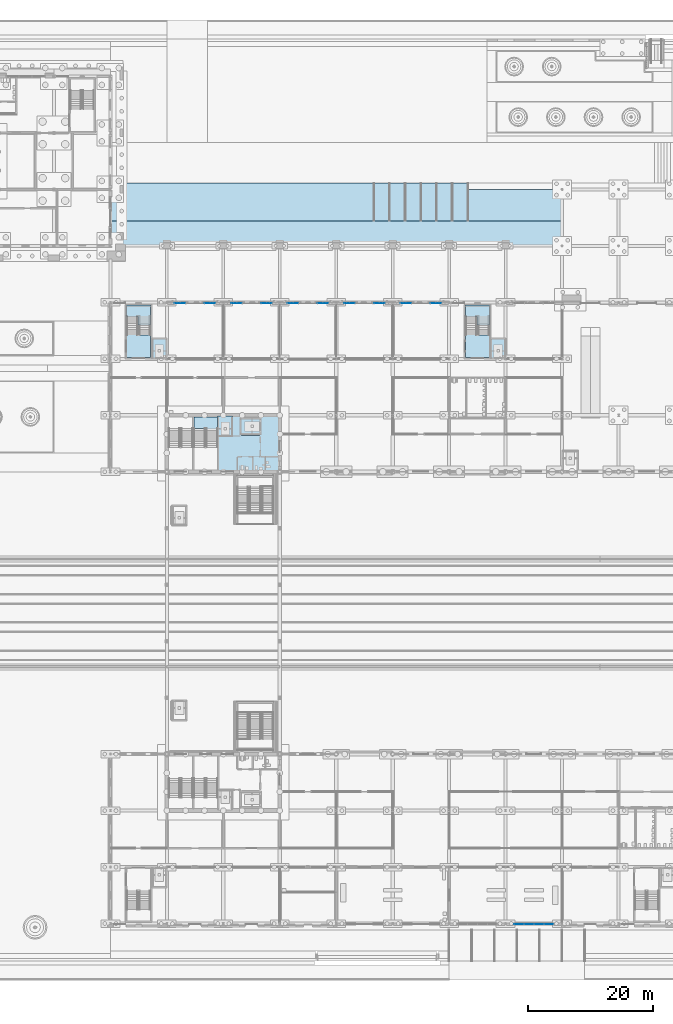
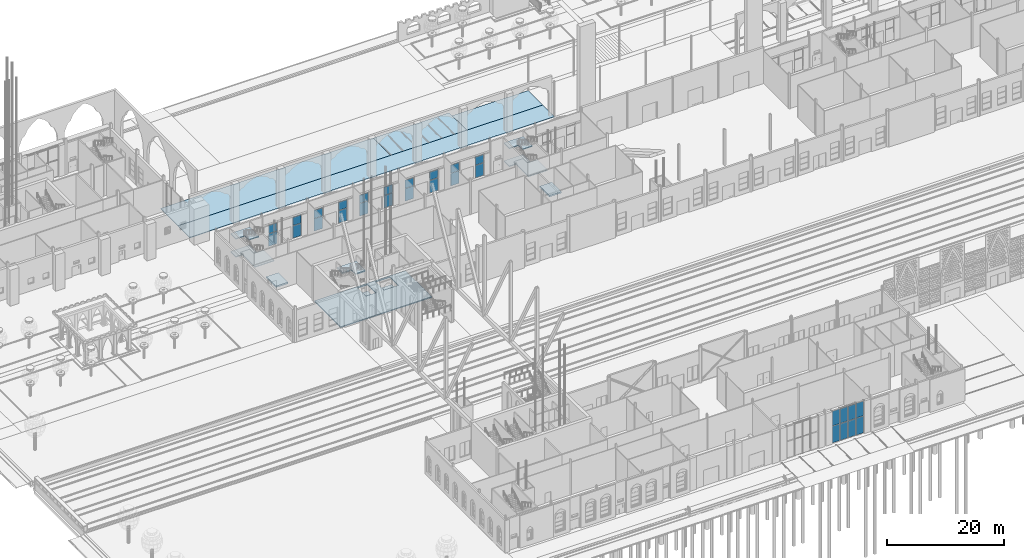
# One storey, part 77 of 250: 28 plates, 16 slabs, 14 elements without a shape of their own.
"""IFC4 building model written with IfcOpenShell, lengths in metres."""

from ifc_helpers import new_model, si_unit, direction, frame, origin, origin_2d, place, context, subcontext, project, spatial, polyline, rectangle, outline, extrude, material, layer, layer_set, type_object, element, aggregate, save


model = new_model("IFC4")

# Units and contexts
model_context = context("Model", 3, precision=1e-05, world=origin(), true_north=direction((0.0, 1.0)))
body_context = subcontext(model_context, "Body", "Model", "MODEL_VIEW")
ifc_project = project(units=[si_unit("LENGTHUNIT", "METRE"), si_unit("AREAUNIT", "SQUARE_METRE"), si_unit("VOLUMEUNIT", "CUBIC_METRE"), si_unit("PLANEANGLEUNIT", "RADIAN"), si_unit("MASSUNIT", "GRAM", prefix="KILO")], contexts=[model_context])

# Site, building, storey
site_placement = place(None, origin())
site = spatial("IfcSite", under=ifc_project, at=site_placement, CompositionType="ELEMENT")
building_placement = place(site_placement, origin())
building = spatial("IfcBuilding", under=site, at=building_placement, Name="Baradari Gate Terminus", CompositionType="ELEMENT")
storey_placement = place(building_placement, origin())
storey = spatial("IfcBuildingStorey", under=building, at=storey_placement, Name="L00", CompositionType="ELEMENT", Elevation=0.0)

# Slabs
ifc_material_1 = material(Name="Concrete C32/40", Category="concrete")
ifc_layer_1 = layer(ifc_material_1, 0.12)
ifc_material_2 = material(Name="Asphalt")
ifc_layer_2 = layer(ifc_material_2, 0.08)
ifc_layer_set_1 = layer_set([ifc_layer_1, ifc_layer_2], Name="Concrete C32/40")
slab_type_1 = type_object("IfcSlabType", Name="Asphalt carriageway slab SL14 200", PredefinedType="BASESLAB", material=ifc_layer_set_1)
slab_1_placement = place(storey_placement, frame((0.0, 0.0, -0.199951171875)))
element("IfcSlab", 1, at=slab_1_placement, inside=storey, type_object=slab_type_1, Name="Set-down bays", PredefinedType="BASESLAB", context=body_context, shape_type="SweptSolid", body=[
    extrude(outline(polyline([(120.0, 121.0), (120.0, 127.0), (105.0, 127.0), (105.0, 121.0), (120.0, 121.0)])), origin(), (0.0, 0.0, 1.0), 0.199951171875),
])
ifc_layer_3 = layer(ifc_material_1, 0.11)
ifc_material_3 = material(Name="Concrete paving flags", Category="concrete")
ifc_layer_4 = layer(ifc_material_3, 0.04)
ifc_layer_set_2 = layer_set([ifc_layer_3, ifc_layer_4], Name="Concrete C32/40")
slab_type_2 = type_object("IfcSlabType", Name="Concrete paving slab SL12 150", PredefinedType="BASESLAB", material=ifc_layer_set_2)
slab_2_placement = place(storey_placement, frame((0.0, 0.0, -0.14990234375)))
element("IfcSlab", 2, at=slab_2_placement, inside=storey, type_object=slab_type_2, Name="Forecourt plaza 6", PredefinedType="BASESLAB", context=body_context, shape_type="SweptSolid", body=[
    extrude(outline(polyline([(135.0, 117.0), (135.0, 121.0), (63.0, 121.0), (63.0, 117.0), (135.0, 117.0)])), origin(), (0.0, 0.0, 1.0), 0.14990234375),
])
slab_3_placement = place(storey_placement, frame((0.0, 0.0, -0.14990234375)))
element("IfcSlab", 3, at=slab_3_placement, inside=storey, type_object=slab_type_2, Name="Forecourt plaza 11", PredefinedType="BASESLAB", context=body_context, shape_type="SweptSolid", body=[
    extrude(outline(polyline([(135.0, 121.0), (135.0, 126.0), (120.0, 126.0), (120.0, 121.0), (135.0, 121.0)])), origin(), (0.0, 0.0, 1.0), 0.14990234375),
])
slab_4_placement = place(storey_placement, frame((0.0, 0.0, -0.14990234375)))
element("IfcSlab", 4, at=slab_4_placement, inside=storey, type_object=slab_type_2, Name="Forecourt plaza 13", PredefinedType="BASESLAB", context=body_context, shape_type="SweptSolid", body=[
    extrude(outline(polyline([(105.0, 121.0), (105.0, 127.0), (63.0, 127.0), (63.0, 121.0), (105.0, 121.0)])), origin(), (0.0, 0.0, 1.0), 0.14990234375),
])

# Curtain wall, plates
ifc_material_4 = material(Name="Aluminium 6063-T6", Category="aluminium")
curtain_wall_type_1 = type_object("IfcCurtainWallType", Name="Curtain wall CW-2 shopfront", PredefinedType="NOTDEFINED", material=ifc_material_4)
curtain_wall_1_placement = place(storey_placement, origin())
curtain_wall_1 = element("IfcCurtainWall", 5, at=curtain_wall_1_placement, inside=storey, type_object=curtain_wall_type_1, Name="Shopfront curtain wall CW-2 HN bay 8 L00", PredefinedType="NOTDEFINED")
ifc_material_5 = material(Name="Insulating glass unit", Category="glass")
ifc_layer_5 = layer(ifc_material_5, 0.02001953125)
ifc_layer_set_3 = layer_set([ifc_layer_5], Name="Insulating glass unit")
plate_type_1 = type_object("IfcPlateType", Name="Curtain wall glazing unit CP-2 20", PredefinedType="CURTAIN_PANEL", material=ifc_layer_set_3)
plate_1_placement = place(storey_placement, frame((74.10009765625, 107.87841796875, 0.06494140625), z_axis=(0.0, 0.0, 1.0), x_axis=(1.0, 0.0, 0.0)))
plate_1 = element("IfcPlate", 6, at=plate_1_placement, type_object=plate_type_1, Name="CW-2 panel 1.1", PredefinedType="CURTAIN_PANEL", context=body_context, shape_type="SweptSolid", body=[
    extrude(rectangle(XDim=1.669921875, YDim=0.02001953125, at=origin_2d()), origin(), (0.0, 0.0, 1.0), 2.6025390625),
])
plate_2_placement = place(storey_placement, frame((74.10009765625, 107.87841796875, 2.732421875), z_axis=(0.0, 0.0, 1.0), x_axis=(1.0, 0.0, 0.0)))
plate_2 = element("IfcPlate", 7, at=plate_2_placement, type_object=plate_type_1, Name="CW-2 panel 1.2", PredefinedType="CURTAIN_PANEL", context=body_context, shape_type="SweptSolid", body=[
    extrude(rectangle(XDim=1.669921875, YDim=0.02001953125, at=origin_2d()), origin(), (0.0, 0.0, 1.0), 1.702392578125),
])
aggregate(curtain_wall_1, [plate_1, plate_2])

curtain_wall_2_placement = place(storey_placement, origin())
curtain_wall_2 = element("IfcCurtainWall", 8, at=curtain_wall_2_placement, inside=storey, type_object=curtain_wall_type_1, Name="Shopfront curtain wall CW-2 HN bay 8 L00", PredefinedType="NOTDEFINED")
plate_3_placement = place(storey_placement, frame((78.89990234375, 107.87841796875, 0.06494140625), z_axis=(0.0, 0.0, 1.0), x_axis=(1.0, 0.0, 0.0)))
plate_3 = element("IfcPlate", 9, at=plate_3_placement, type_object=plate_type_1, Name="CW-2 panel 1.1", PredefinedType="CURTAIN_PANEL", context=body_context, shape_type="SweptSolid", body=[
    extrude(rectangle(XDim=1.669921875, YDim=0.02001953125, at=origin_2d()), origin(), (0.0, 0.0, 1.0), 2.6025390625),
])
plate_4_placement = place(storey_placement, frame((78.89990234375, 107.87841796875, 2.732421875), z_axis=(0.0, 0.0, 1.0), x_axis=(1.0, 0.0, 0.0)))
plate_4 = element("IfcPlate", 10, at=plate_4_placement, type_object=plate_type_1, Name="CW-2 panel 1.2", PredefinedType="CURTAIN_PANEL", context=body_context, shape_type="SweptSolid", body=[
    extrude(rectangle(XDim=1.669921875, YDim=0.02001953125, at=origin_2d()), origin(), (0.0, 0.0, 1.0), 1.702392578125),
])
aggregate(curtain_wall_2, [plate_3, plate_4])

curtain_wall_3_placement = place(storey_placement, origin())
curtain_wall_3 = element("IfcCurtainWall", 11, at=curtain_wall_3_placement, inside=storey, type_object=curtain_wall_type_1, Name="Shopfront curtain wall CW-2 HN bay 9 L00", PredefinedType="NOTDEFINED")
plate_5_placement = place(storey_placement, frame((83.10009765625, 107.87841796875, 0.06494140625), z_axis=(0.0, 0.0, 1.0), x_axis=(1.0, 0.0, 0.0)))
plate_5 = element("IfcPlate", 12, at=plate_5_placement, type_object=plate_type_1, Name="CW-2 panel 1.1", PredefinedType="CURTAIN_PANEL", context=body_context, shape_type="SweptSolid", body=[
    extrude(rectangle(XDim=1.669921875, YDim=0.02001953125, at=origin_2d()), origin(), (0.0, 0.0, 1.0), 2.6025390625),
])
plate_6_placement = place(storey_placement, frame((83.10009765625, 107.87841796875, 2.732421875), z_axis=(0.0, 0.0, 1.0), x_axis=(1.0, 0.0, 0.0)))
plate_6 = element("IfcPlate", 13, at=plate_6_placement, type_object=plate_type_1, Name="CW-2 panel 1.2", PredefinedType="CURTAIN_PANEL", context=body_context, shape_type="SweptSolid", body=[
    extrude(rectangle(XDim=1.669921875, YDim=0.02001953125, at=origin_2d()), origin(), (0.0, 0.0, 1.0), 1.702392578125),
])
aggregate(curtain_wall_3, [plate_5, plate_6])

curtain_wall_4_placement = place(storey_placement, origin())
curtain_wall_4 = element("IfcCurtainWall", 14, at=curtain_wall_4_placement, inside=storey, type_object=curtain_wall_type_1, Name="Shopfront curtain wall CW-2 HN bay 9 L00", PredefinedType="NOTDEFINED")
plate_7_placement = place(storey_placement, frame((87.89990234375, 107.87841796875, 0.06494140625), z_axis=(0.0, 0.0, 1.0), x_axis=(1.0, 0.0, 0.0)))
plate_7 = element("IfcPlate", 15, at=plate_7_placement, type_object=plate_type_1, Name="CW-2 panel 1.1", PredefinedType="CURTAIN_PANEL", context=body_context, shape_type="SweptSolid", body=[
    extrude(rectangle(XDim=1.669921875, YDim=0.02001953125, at=origin_2d()), origin(), (0.0, 0.0, 1.0), 2.6025390625),
])
plate_8_placement = place(storey_placement, frame((87.89990234375, 107.87841796875, 2.732421875), z_axis=(0.0, 0.0, 1.0), x_axis=(1.0, 0.0, 0.0)))
plate_8 = element("IfcPlate", 16, at=plate_8_placement, type_object=plate_type_1, Name="CW-2 panel 1.2", PredefinedType="CURTAIN_PANEL", context=body_context, shape_type="SweptSolid", body=[
    extrude(rectangle(XDim=1.669921875, YDim=0.02001953125, at=origin_2d()), origin(), (0.0, 0.0, 1.0), 1.702392578125),
])
aggregate(curtain_wall_4, [plate_7, plate_8])

curtain_wall_5_placement = place(storey_placement, origin())
curtain_wall_5 = element("IfcCurtainWall", 17, at=curtain_wall_5_placement, inside=storey, type_object=curtain_wall_type_1, Name="Shopfront curtain wall CW-2 HN bay 10 L00", PredefinedType="NOTDEFINED")
plate_9_placement = place(storey_placement, frame((92.10009765625, 107.87841796875, 0.06494140625), z_axis=(0.0, 0.0, 1.0), x_axis=(1.0, 0.0, 0.0)))
plate_9 = element("IfcPlate", 18, at=plate_9_placement, type_object=plate_type_1, Name="CW-2 panel 1.1", PredefinedType="CURTAIN_PANEL", context=body_context, shape_type="SweptSolid", body=[
    extrude(rectangle(XDim=1.669921875, YDim=0.02001953125, at=origin_2d()), origin(), (0.0, 0.0, 1.0), 2.6025390625),
])
plate_10_placement = place(storey_placement, frame((92.10009765625, 107.87841796875, 2.732421875), z_axis=(0.0, 0.0, 1.0), x_axis=(1.0, 0.0, 0.0)))
plate_10 = element("IfcPlate", 19, at=plate_10_placement, type_object=plate_type_1, Name="CW-2 panel 1.2", PredefinedType="CURTAIN_PANEL", context=body_context, shape_type="SweptSolid", body=[
    extrude(rectangle(XDim=1.669921875, YDim=0.02001953125, at=origin_2d()), origin(), (0.0, 0.0, 1.0), 1.702392578125),
])
aggregate(curtain_wall_5, [plate_9, plate_10])

curtain_wall_6_placement = place(storey_placement, origin())
curtain_wall_6 = element("IfcCurtainWall", 20, at=curtain_wall_6_placement, inside=storey, type_object=curtain_wall_type_1, Name="Shopfront curtain wall CW-2 HN bay 10 L00", PredefinedType="NOTDEFINED")
plate_11_placement = place(storey_placement, frame((96.89990234375, 107.87841796875, 0.06494140625), z_axis=(0.0, 0.0, 1.0), x_axis=(1.0, 0.0, 0.0)))
plate_11 = element("IfcPlate", 21, at=plate_11_placement, type_object=plate_type_1, Name="CW-2 panel 1.1", PredefinedType="CURTAIN_PANEL", context=body_context, shape_type="SweptSolid", body=[
    extrude(rectangle(XDim=1.669921875, YDim=0.02001953125, at=origin_2d()), origin(), (0.0, 0.0, 1.0), 2.6025390625),
])
plate_12_placement = place(storey_placement, frame((96.89990234375, 107.87841796875, 2.732421875), z_axis=(0.0, 0.0, 1.0), x_axis=(1.0, 0.0, 0.0)))
plate_12 = element("IfcPlate", 22, at=plate_12_placement, type_object=plate_type_1, Name="CW-2 panel 1.2", PredefinedType="CURTAIN_PANEL", context=body_context, shape_type="SweptSolid", body=[
    extrude(rectangle(XDim=1.669921875, YDim=0.02001953125, at=origin_2d()), origin(), (0.0, 0.0, 1.0), 1.702392578125),
])
aggregate(curtain_wall_6, [plate_11, plate_12])

curtain_wall_7_placement = place(storey_placement, origin())
curtain_wall_7 = element("IfcCurtainWall", 23, at=curtain_wall_7_placement, inside=storey, type_object=curtain_wall_type_1, Name="Shopfront curtain wall CW-2 HN bay 11 L00", PredefinedType="NOTDEFINED")
plate_13_placement = place(storey_placement, frame((101.10009765625, 107.87841796875, 0.06494140625), z_axis=(0.0, 0.0, 1.0), x_axis=(1.0, 0.0, 0.0)))
plate_13 = element("IfcPlate", 24, at=plate_13_placement, type_object=plate_type_1, Name="CW-2 panel 1.1", PredefinedType="CURTAIN_PANEL", context=body_context, shape_type="SweptSolid", body=[
    extrude(rectangle(XDim=1.669921875, YDim=0.02001953125, at=origin_2d()), origin(), (0.0, 0.0, 1.0), 2.6025390625),
])
plate_14_placement = place(storey_placement, frame((101.10009765625, 107.87841796875, 2.732421875), z_axis=(0.0, 0.0, 1.0), x_axis=(1.0, 0.0, 0.0)))
plate_14 = element("IfcPlate", 25, at=plate_14_placement, type_object=plate_type_1, Name="CW-2 panel 1.2", PredefinedType="CURTAIN_PANEL", context=body_context, shape_type="SweptSolid", body=[
    extrude(rectangle(XDim=1.669921875, YDim=0.02001953125, at=origin_2d()), origin(), (0.0, 0.0, 1.0), 1.702392578125),
])
aggregate(curtain_wall_7, [plate_13, plate_14])

curtain_wall_8_placement = place(storey_placement, origin())
curtain_wall_8 = element("IfcCurtainWall", 26, at=curtain_wall_8_placement, inside=storey, type_object=curtain_wall_type_1, Name="Shopfront curtain wall CW-2 HN bay 11 L00", PredefinedType="NOTDEFINED")
plate_15_placement = place(storey_placement, frame((105.89990234375, 107.87841796875, 0.06494140625), z_axis=(0.0, 0.0, 1.0), x_axis=(1.0, 0.0, 0.0)))
plate_15 = element("IfcPlate", 27, at=plate_15_placement, type_object=plate_type_1, Name="CW-2 panel 1.1", PredefinedType="CURTAIN_PANEL", context=body_context, shape_type="SweptSolid", body=[
    extrude(rectangle(XDim=1.669921875, YDim=0.02001953125, at=origin_2d()), origin(), (0.0, 0.0, 1.0), 2.6025390625),
])
plate_16_placement = place(storey_placement, frame((105.89990234375, 107.87841796875, 2.732421875), z_axis=(0.0, 0.0, 1.0), x_axis=(1.0, 0.0, 0.0)))
plate_16 = element("IfcPlate", 28, at=plate_16_placement, type_object=plate_type_1, Name="CW-2 panel 1.2", PredefinedType="CURTAIN_PANEL", context=body_context, shape_type="SweptSolid", body=[
    extrude(rectangle(XDim=1.669921875, YDim=0.02001953125, at=origin_2d()), origin(), (0.0, 0.0, 1.0), 1.702392578125),
])
aggregate(curtain_wall_8, [plate_15, plate_16])

curtain_wall_9_placement = place(storey_placement, origin())
curtain_wall_9 = element("IfcCurtainWall", 29, at=curtain_wall_9_placement, inside=storey, type_object=curtain_wall_type_1, Name="Shopfront curtain wall CW-2 HN bay 12 L00", PredefinedType="NOTDEFINED")
plate_17_placement = place(storey_placement, frame((110.10009765625, 107.87841796875, 0.06494140625), z_axis=(0.0, 0.0, 1.0), x_axis=(1.0, 0.0, 0.0)))
plate_17 = element("IfcPlate", 30, at=plate_17_placement, type_object=plate_type_1, Name="CW-2 panel 1.1", PredefinedType="CURTAIN_PANEL", context=body_context, shape_type="SweptSolid", body=[
    extrude(rectangle(XDim=1.669921875, YDim=0.02001953125, at=origin_2d()), origin(), (0.0, 0.0, 1.0), 2.6025390625),
])
plate_18_placement = place(storey_placement, frame((110.10009765625, 107.87841796875, 2.732421875), z_axis=(0.0, 0.0, 1.0), x_axis=(1.0, 0.0, 0.0)))
plate_18 = element("IfcPlate", 31, at=plate_18_placement, type_object=plate_type_1, Name="CW-2 panel 1.2", PredefinedType="CURTAIN_PANEL", context=body_context, shape_type="SweptSolid", body=[
    extrude(rectangle(XDim=1.669921875, YDim=0.02001953125, at=origin_2d()), origin(), (0.0, 0.0, 1.0), 1.702392578125),
])
aggregate(curtain_wall_9, [plate_17, plate_18])

curtain_wall_10_placement = place(storey_placement, origin())
curtain_wall_10 = element("IfcCurtainWall", 32, at=curtain_wall_10_placement, inside=storey, type_object=curtain_wall_type_1, Name="Shopfront curtain wall CW-2 HN bay 12 L00", PredefinedType="NOTDEFINED")
plate_19_placement = place(storey_placement, frame((114.89990234375, 107.87841796875, 0.06494140625), z_axis=(0.0, 0.0, 1.0), x_axis=(1.0, 0.0, 0.0)))
plate_19 = element("IfcPlate", 33, at=plate_19_placement, type_object=plate_type_1, Name="CW-2 panel 1.1", PredefinedType="CURTAIN_PANEL", context=body_context, shape_type="SweptSolid", body=[
    extrude(rectangle(XDim=1.669921875, YDim=0.02001953125, at=origin_2d()), origin(), (0.0, 0.0, 1.0), 2.6025390625),
])
plate_20_placement = place(storey_placement, frame((114.89990234375, 107.87841796875, 2.732421875), z_axis=(0.0, 0.0, 1.0), x_axis=(1.0, 0.0, 0.0)))
plate_20 = element("IfcPlate", 34, at=plate_20_placement, type_object=plate_type_1, Name="CW-2 panel 1.2", PredefinedType="CURTAIN_PANEL", context=body_context, shape_type="SweptSolid", body=[
    extrude(rectangle(XDim=1.669921875, YDim=0.02001953125, at=origin_2d()), origin(), (0.0, 0.0, 1.0), 1.702392578125),
])
aggregate(curtain_wall_10, [plate_19, plate_20])

ifc_material_6 = material(Name="Aluminium 6063-T6", Category="aluminium")
curtain_wall_type_2 = type_object("IfcCurtainWallType", Name="Curtain wall CW-24 lobby and lounge glazing, other height", PredefinedType="NOTDEFINED", material=ifc_material_6)
curtain_wall_11_placement = place(storey_placement, origin())
curtain_wall_11 = element("IfcCurtainWall", 35, at=curtain_wall_11_placement, inside=storey, type_object=curtain_wall_type_2, Name="Glazed curtain wall CW-24 SS bay 15 L00", PredefinedType="NOTDEFINED")
ifc_material_7 = material(Name="Insulating glass unit", Category="glass")
ifc_layer_6 = layer(ifc_material_7, 0.030029296875)
ifc_layer_set_4 = layer_set([ifc_layer_6], Name="Insulating glass unit")
plate_type_2 = type_object("IfcPlateType", Name="Curtain wall glazing unit CP-24 30", PredefinedType="CURTAIN_PANEL", material=ifc_layer_set_4)
plate_21_placement = place(storey_placement, frame((128.140380859375, 8.880126953125, 0.080078125), z_axis=(0.0, 0.0, 1.0), x_axis=(1.0, 0.0, 0.0)))
plate_21 = element("IfcPlate", 36, at=plate_21_placement, type_object=plate_type_2, Name="CW-24 panel 1.1", PredefinedType="CURTAIN_PANEL", context=body_context, shape_type="SweptSolid", body=[
    extrude(rectangle(XDim=1.46630859375, YDim=0.030029296875, at=origin_2d()), origin(), (0.0, 0.0, 1.0), 3.47998046875),
])
plate_22_placement = place(storey_placement, frame((128.140380859375, 8.880126953125, 3.64013671875), z_axis=(0.0, 0.0, 1.0), x_axis=(1.0, 0.0, 0.0)))
plate_22 = element("IfcPlate", 37, at=plate_22_placement, type_object=plate_type_2, Name="CW-24 panel 1.2", PredefinedType="CURTAIN_PANEL", context=body_context, shape_type="SweptSolid", body=[
    extrude(rectangle(XDim=1.46630859375, YDim=0.030029296875, at=origin_2d()), origin(), (0.0, 0.0, 1.0), 3.04736328125),
])
plate_23_placement = place(storey_placement, frame((129.706787109375, 8.880126953125, 0.080078125), z_axis=(0.0, 0.0, 1.0), x_axis=(1.0, 0.0, 0.0)))
plate_23 = element("IfcPlate", 38, at=plate_23_placement, type_object=plate_type_2, Name="CW-24 panel 2.1", PredefinedType="CURTAIN_PANEL", context=body_context, shape_type="SweptSolid", body=[
    extrude(rectangle(XDim=1.50634765625, YDim=0.030029296875, at=origin_2d()), origin(), (0.0, 0.0, 1.0), 3.47998046875),
])
plate_24_placement = place(storey_placement, frame((129.706787109375, 8.880126953125, 3.64013671875), z_axis=(0.0, 0.0, 1.0), x_axis=(1.0, 0.0, 0.0)))
plate_24 = element("IfcPlate", 39, at=plate_24_placement, type_object=plate_type_2, Name="CW-24 panel 2.2", PredefinedType="CURTAIN_PANEL", context=body_context, shape_type="SweptSolid", body=[
    extrude(rectangle(XDim=1.50634765625, YDim=0.030029296875, at=origin_2d()), origin(), (0.0, 0.0, 1.0), 3.04736328125),
])
plate_25_placement = place(storey_placement, frame((131.293212890625, 8.880126953125, 0.080078125), z_axis=(0.0, 0.0, 1.0), x_axis=(1.0, 0.0, 0.0)))
plate_25 = element("IfcPlate", 40, at=plate_25_placement, type_object=plate_type_2, Name="CW-24 panel 3.1", PredefinedType="CURTAIN_PANEL", context=body_context, shape_type="SweptSolid", body=[
    extrude(rectangle(XDim=1.50634765625, YDim=0.030029296875, at=origin_2d()), origin(), (0.0, 0.0, 1.0), 3.47998046875),
])
plate_26_placement = place(storey_placement, frame((131.293212890625, 8.880126953125, 3.64013671875), z_axis=(0.0, 0.0, 1.0), x_axis=(1.0, 0.0, 0.0)))
plate_26 = element("IfcPlate", 41, at=plate_26_placement, type_object=plate_type_2, Name="CW-24 panel 3.2", PredefinedType="CURTAIN_PANEL", context=body_context, shape_type="SweptSolid", body=[
    extrude(rectangle(XDim=1.50634765625, YDim=0.030029296875, at=origin_2d()), origin(), (0.0, 0.0, 1.0), 3.04736328125),
])
plate_27_placement = place(storey_placement, frame((132.859619140625, 8.880126953125, 0.080078125), z_axis=(0.0, 0.0, 1.0), x_axis=(1.0, 0.0, 0.0)))
plate_27 = element("IfcPlate", 42, at=plate_27_placement, type_object=plate_type_2, Name="CW-24 panel 4.1", PredefinedType="CURTAIN_PANEL", context=body_context, shape_type="SweptSolid", body=[
    extrude(rectangle(XDim=1.46630859375, YDim=0.030029296875, at=origin_2d()), origin(), (0.0, 0.0, 1.0), 3.47998046875),
])
plate_28_placement = place(storey_placement, frame((132.859619140625, 8.880126953125, 3.64013671875), z_axis=(0.0, 0.0, 1.0), x_axis=(1.0, 0.0, 0.0)))
plate_28 = element("IfcPlate", 43, at=plate_28_placement, type_object=plate_type_2, Name="CW-24 panel 4.2", PredefinedType="CURTAIN_PANEL", context=body_context, shape_type="SweptSolid", body=[
    extrude(rectangle(XDim=1.46630859375, YDim=0.030029296875, at=origin_2d()), origin(), (0.0, 0.0, 1.0), 3.04736328125),
])
aggregate(curtain_wall_11, [plate_21, plate_22, plate_23, plate_24, plate_25, plate_26, plate_27, plate_28])

# Slabs
ifc_material_8 = material(Name="Concrete C35/45", Category="concrete")
ifc_layer_7 = layer(ifc_material_8, 0.199951171875)
ifc_layer_set_5 = layer_set([ifc_layer_7], Name="Concrete C35/45")
slab_type_3 = type_object("IfcSlabType", Name="Ground slab SL3 200", PredefinedType="BASESLAB", material=ifc_layer_set_5)
slab_5_placement = place(storey_placement, frame((0.0, 0.0, -0.199951171875)))
element("IfcSlab", 44, at=slab_5_placement, inside=storey, type_object=slab_type_3, Name="Core floor GN", PredefinedType="BASESLAB", context=body_context, shape_type="SweptSolid", body=[
    extrude(outline(polyline([(72.0, 90.0), (72.0, 81.0), (90.0, 81.0), (90.0, 90.0), (72.0, 90.0)]), holes=[polyline([(86.800048828125, 89.699951171875), (83.89990234375, 89.699951171875), (83.89990234375, 86.800048828125), (86.800048828125, 86.800048828125), (86.800048828125, 89.699951171875)]), polyline([(80.300048828125, 89.699951171875), (80.300048828125, 86.800048828125), (82.300048828125, 86.800048828125), (82.300048828125, 89.699951171875), (80.300048828125, 89.699951171875)])]), origin(), (0.0, 0.0, 1.0), 0.199951171875),
])
ifc_material_9 = material(Name="Concrete C32/40", Category="concrete")
ifc_layer_8 = layer(ifc_material_9, 0.300048828125)
ifc_layer_set_6 = layer_set([ifc_layer_8], Name="Concrete C32/40")
slab_type_4 = type_object("IfcSlabType", Name="Lift pit slab LP-1 300", PredefinedType="BASESLAB", material=ifc_layer_set_6)
slab_6_placement = place(storey_placement, frame((0.0, 0.0, -1.89990234375)))
element("IfcSlab", 45, at=slab_6_placement, inside=storey, type_object=slab_type_4, Name="Lift pit slab LP-1 LGN1", PredefinedType="BASESLAB", context=body_context, shape_type="SweptSolid", body=[
    extrude(outline(polyline([(82.5, 86.60009765625), (82.5, 89.89990234375), (80.10009765625, 89.89990234375), (80.10009765625, 86.60009765625), (82.5, 86.60009765625)])), origin(), (0.0, 0.0, 1.0), 0.2998046875),
])
slab_7_placement = place(storey_placement, frame((0.0, 0.0, -1.89990234375)))
element("IfcSlab", 46, at=slab_7_placement, inside=storey, type_object=slab_type_4, Name="Lift pit slab LP-1 LGN2", PredefinedType="BASESLAB", context=body_context, shape_type="SweptSolid", body=[
    extrude(outline(polyline([(83.699951171875, 86.949951171875), (83.699951171875, 89.550048828125), (87.0, 89.550048828125), (87.0, 86.949951171875), (83.699951171875, 86.949951171875)])), origin(), (0.0, 0.0, 1.0), 0.2998046875),
])
slab_8_placement = place(storey_placement, frame((0.0, 0.0, -1.89990234375)))
element("IfcSlab", 47, at=slab_8_placement, inside=storey, type_object=slab_type_4, Name="Lift pit slab LP-1 LH1", PredefinedType="BASESLAB", context=body_context, shape_type="SweptSolid", body=[
    extrude(outline(polyline([(69.60009765625, 99.0), (69.60009765625, 102.300048828125), (72.0, 102.300048828125), (72.0, 99.0), (69.60009765625, 99.0)])), origin(), (0.0, 0.0, 1.0), 0.2998046875),
])
slab_9_placement = place(storey_placement, frame((0.0, 0.0, -1.89990234375)))
element("IfcSlab", 48, at=slab_9_placement, inside=storey, type_object=slab_type_4, Name="Lift pit slab LP-1 LH2", PredefinedType="BASESLAB", context=body_context, shape_type="SweptSolid", body=[
    extrude(outline(polyline([(123.60009765625, 99.0), (123.60009765625, 102.300048828125), (126.0, 102.300048828125), (126.0, 99.0), (123.60009765625, 99.0)])), origin(), (0.0, 0.0, 1.0), 0.2998046875),
])

# Stair, slabs
ifc_material_10 = material(Name="Concrete C32/40", Category="concrete")
stair_type_1 = type_object("IfcStairType", Name="Exit stair ST-H1 riser 170 x 1800", PredefinedType="DOUBLE_RETURN_STAIR", material=ifc_material_10)
stair_1_placement = place(storey_placement, origin())
stair_1 = element("IfcStair", 49, at=stair_1_placement, inside=storey, type_object=stair_type_1, Name="Stair ST-H1 L00 to L01", PredefinedType="DOUBLE_RETURN_STAIR")
ifc_material_11 = material(Name="Concrete C32/40", Category="concrete")
ifc_layer_9 = layer(ifc_material_11, 0.175048828125)
ifc_layer_set_7 = layer_set([ifc_layer_9], Name="Concrete C32/40")
slab_type_5 = type_object("IfcSlabType", Name="Stair landing LS-4 175", PredefinedType="LANDING", material=ifc_layer_set_7)
slab_10_placement = place(storey_placement, frame((0.0, 0.0, 1.699951171875)))
slab_10 = element("IfcSlab", 50, at=slab_10_placement, type_object=slab_type_5, Name="ST-H1 landing 1", PredefinedType="LANDING", context=body_context, shape_type="SweptSolid", body=[
    extrude(outline(polyline([(65.60009765625, 107.60009765625), (65.60009765625, 105.780029296875), (67.39990234375, 105.780029296875), (67.39990234375, 104.39990234375), (67.60009765625, 104.39990234375), (69.39990234375, 104.39990234375), (69.39990234375, 107.60009765625), (65.60009765625, 107.60009765625)])), origin(), (0.0, 0.0, 1.0), 0.175048828125),
])
slab_11_placement = place(storey_placement, frame((0.0, 0.0, 3.574951171875)))
slab_11 = element("IfcSlab", 51, at=slab_11_placement, type_object=slab_type_5, Name="ST-H1 landing 2", PredefinedType="LANDING", context=body_context, shape_type="SweptSolid", body=[
    extrude(outline(polyline([(65.60009765625, 99.199951171875), (65.60009765625, 104.199951171875), (67.39990234375, 104.199951171875), (67.39990234375, 102.820068359375), (67.60009765625, 102.820068359375), (69.39990234375, 102.820068359375), (69.39990234375, 99.199951171875), (65.60009765625, 99.199951171875)])), origin(), (0.0, 0.0, 1.0), 0.175048828125),
])
slab_12_placement = place(storey_placement, frame((0.0, 0.0, 5.449951171875)))
slab_12 = element("IfcSlab", 52, at=slab_12_placement, type_object=slab_type_5, Name="ST-H1 landing 3", PredefinedType="LANDING", context=body_context, shape_type="SweptSolid", body=[
    extrude(outline(polyline([(65.60009765625, 107.60009765625), (65.60009765625, 105.780029296875), (67.39990234375, 105.780029296875), (67.39990234375, 104.39990234375), (67.60009765625, 104.39990234375), (69.39990234375, 104.39990234375), (69.39990234375, 107.60009765625), (65.60009765625, 107.60009765625)])), origin(), (0.0, 0.0, 1.0), 0.175048828125),
])
aggregate(stair_1, [slab_10, slab_11, slab_12])

ifc_material_12 = material(Name="Concrete C32/40", Category="concrete")
stair_type_2 = type_object("IfcStairType", Name="Exit stair ST-H2 riser 170 x 1800", PredefinedType="DOUBLE_RETURN_STAIR", material=ifc_material_12)
stair_2_placement = place(storey_placement, origin())
stair_2 = element("IfcStair", 53, at=stair_2_placement, inside=storey, type_object=stair_type_2, Name="Stair ST-H2 L00 to L01", PredefinedType="DOUBLE_RETURN_STAIR")
slab_13_placement = place(storey_placement, frame((0.0, 0.0, 1.699951171875)))
slab_13 = element("IfcSlab", 54, at=slab_13_placement, type_object=slab_type_5, Name="ST-H2 landing 1", PredefinedType="LANDING", context=body_context, shape_type="SweptSolid", body=[
    extrude(outline(polyline([(119.60009765625, 107.60009765625), (119.60009765625, 105.780029296875), (121.39990234375, 105.780029296875), (121.39990234375, 104.39990234375), (121.60009765625, 104.39990234375), (123.39990234375, 104.39990234375), (123.39990234375, 107.60009765625), (119.60009765625, 107.60009765625)])), origin(), (0.0, 0.0, 1.0), 0.175048828125),
])
slab_14_placement = place(storey_placement, frame((0.0, 0.0, 3.574951171875)))
slab_14 = element("IfcSlab", 55, at=slab_14_placement, type_object=slab_type_5, Name="ST-H2 landing 2", PredefinedType="LANDING", context=body_context, shape_type="SweptSolid", body=[
    extrude(outline(polyline([(119.60009765625, 99.199951171875), (119.60009765625, 104.199951171875), (121.39990234375, 104.199951171875), (121.39990234375, 102.820068359375), (121.60009765625, 102.820068359375), (123.39990234375, 102.820068359375), (123.39990234375, 99.199951171875), (119.60009765625, 99.199951171875)])), origin(), (0.0, 0.0, 1.0), 0.175048828125),
])
slab_15_placement = place(storey_placement, frame((0.0, 0.0, 5.449951171875)))
slab_15 = element("IfcSlab", 56, at=slab_15_placement, type_object=slab_type_5, Name="ST-H2 landing 3", PredefinedType="LANDING", context=body_context, shape_type="SweptSolid", body=[
    extrude(outline(polyline([(119.60009765625, 107.60009765625), (119.60009765625, 105.780029296875), (121.39990234375, 105.780029296875), (121.39990234375, 104.39990234375), (121.60009765625, 104.39990234375), (123.39990234375, 104.39990234375), (123.39990234375, 107.60009765625), (119.60009765625, 107.60009765625)])), origin(), (0.0, 0.0, 1.0), 0.175048828125),
])
aggregate(stair_2, [slab_13, slab_14, slab_15])

# Stair, slab
ifc_material_13 = material(Name="Concrete C32/40", Category="concrete")
stair_type_3 = type_object("IfcStairType", Name="Exit stair ST-GN2 riser 170 x 1800", PredefinedType="DOUBLE_RETURN_STAIR", material=ifc_material_13)
stair_3_placement = place(storey_placement, origin())
stair_3 = element("IfcStair", 57, at=stair_3_placement, inside=storey, type_object=stair_type_3, Name="Stair ST-GN2 L00 to L01", PredefinedType="DOUBLE_RETURN_STAIR")
ifc_material_14 = material(Name="Concrete C32/40", Category="concrete")
ifc_layer_10 = layer(ifc_material_14, 0.25)
ifc_layer_set_8 = layer_set([ifc_layer_10], Name="Concrete C32/40")
slab_type_6 = type_object("IfcSlabType", Name="Stair landing LS-5 250", PredefinedType="LANDING", material=ifc_layer_set_8)
slab_16_placement = place(storey_placement, frame((0.0, 0.0, 5.375)))
slab_16 = element("IfcSlab", 58, at=slab_16_placement, type_object=slab_type_6, Name="ST-GN2 landing 3", PredefinedType="LANDING", context=body_context, shape_type="SweptSolid", body=[
    extrude(outline(polyline([(76.300048828125, 89.699951171875), (76.300048828125, 87.8798828125), (78.10009765625, 87.8798828125), (78.10009765625, 86.5), (78.300048828125, 86.5), (80.10009765625, 86.5), (80.10009765625, 89.699951171875), (76.300048828125, 89.699951171875)])), origin(), (0.0, 0.0, 1.0), 0.25),
])
aggregate(stair_3, [slab_16])

save(model, "model.ifc")
